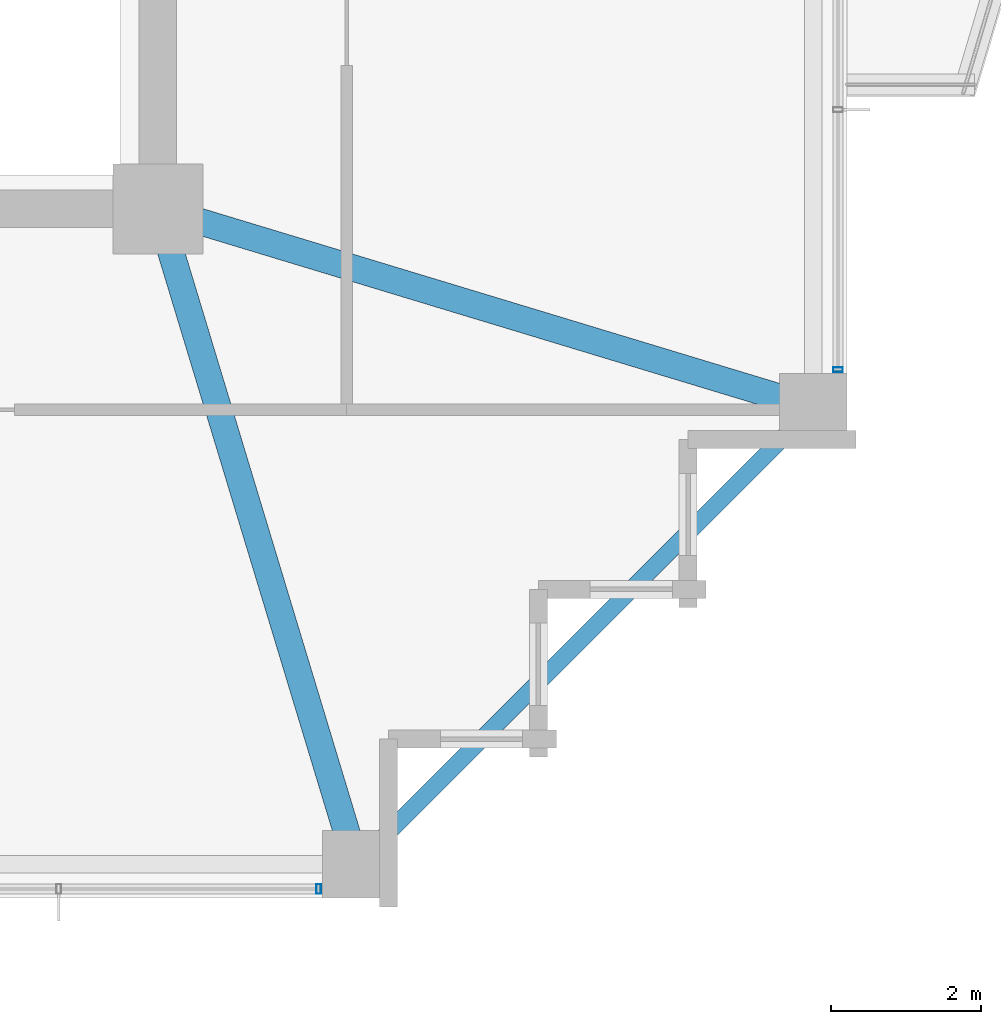
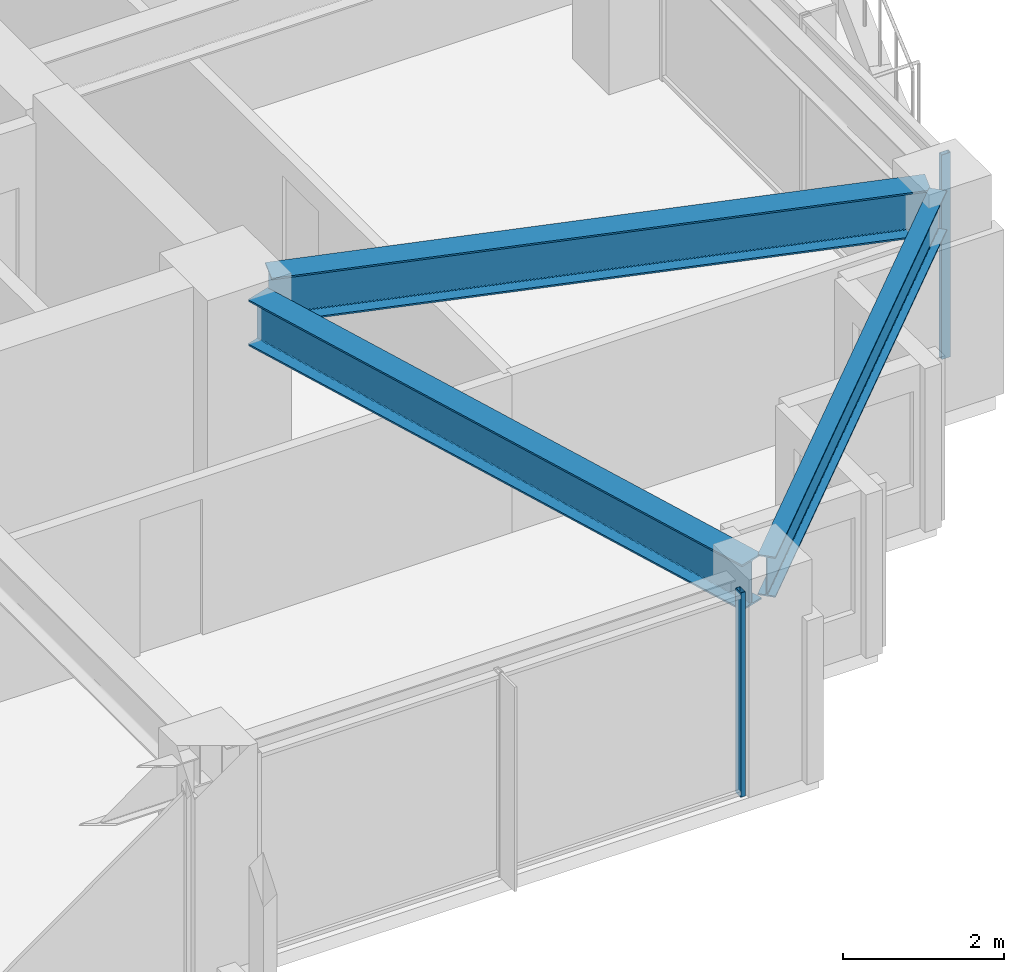
# One storey, part 14 of 35: 3 beams, 2 members, 2 elements without a shape of their own.
"""IFC4 building model written with IfcOpenShell, lengths in metres."""

from ifc_helpers import new_model, si_unit, direction, frame, origin, origin_2d, place, context, subcontext, project, spatial, hollow_rectangle, i_section, extrude, material, material_profile, profile_set, type_object, element, aggregate, save


model = new_model("IFC4")

# Units and contexts
model_context = context("Model", 3, precision=1e-05, world=origin(), true_north=direction((0.0, 1.0)))
body_context = subcontext(model_context, "Body", "Model", "MODEL_VIEW")
ifc_project = project(units=[si_unit("LENGTHUNIT", "METRE"), si_unit("AREAUNIT", "SQUARE_METRE"), si_unit("VOLUMEUNIT", "CUBIC_METRE"), si_unit("PLANEANGLEUNIT", "RADIAN"), si_unit("MASSUNIT", "GRAM", prefix="KILO")], contexts=[model_context])

# Site, building, storey
site_placement = place(None, origin())
site = spatial("IfcSite", under=ifc_project, at=site_placement, CompositionType="ELEMENT")
building_placement = place(site_placement, origin())
building = spatial("IfcBuilding", under=site, at=building_placement, Name="Kolvaren Belvedere", CompositionType="ELEMENT")
storey_placement = place(building_placement, frame((0.0, 0.0, 163.5)))
storey = spatial("IfcBuildingStorey", under=building, at=storey_placement, Name="L47", CompositionType="ELEMENT", Elevation=163.5)

# Beams
ifc_material_1 = material(Name="Structural steel ASTM A992 Grade 50", Category="steel")
ifc_material_profile_1 = material_profile(ifc_material_1, i_section(OverallWidth=0.35498046875, OverallDepth=0.696044921875, WebThickness=0.015380859375, FlangeThickness=0.02490234375, FilletRadius=0.02197265625, at=origin_2d()), Name="W27X146")
ifc_profile_set_1 = profile_set([ifc_material_profile_1], Name="Structural steel ASTM A992 Grade 50")
beam_type_1 = type_object("IfcBeamType", Name="BM-GIRD-W27X146", PredefinedType="BEAM", material=ifc_profile_set_1)
for number, where, z_axis, x_axis, name in (
    (1, (10.059326171875, -10.426513671875, 2.751953125), (0.289865629086, -0.957067352423, 0.0), (0.957067352423, 0.289865629086, 0.0), "L47 Corner Core-to-Perimeter Girder CC2-S4"),
    (2, (10.426513671875, -10.059326171875, 2.751953125), (0.957067352423, -0.289865629086, 0.0), (0.289865629086, 0.957067352423, 0.0), "L47 Corner Core-to-Perimeter Girder CC2-E1"),
):
    element("IfcBeam", number, at=place(storey_placement, frame(where, z_axis=z_axis, x_axis=x_axis)), inside=storey, type_object=beam_type_1, Name=name, PredefinedType="BEAM", context=body_context, shape_type="SweptSolid", body=[
        extrude(i_section(OverallWidth=0.35498046875, OverallDepth=0.696044921875, WebThickness=0.015380859375, FlangeThickness=0.02490234375, FilletRadius=0.02197265625, at=origin_2d()), origin(), (0.0, 0.0, 1.0), 8.412353515625),
    ])
ifc_material_2 = material(Name="Structural steel ASTM A992 Grade 50", Category="steel")
ifc_material_profile_2 = material_profile(ifc_material_2, i_section(OverallWidth=0.22900390625, OverallDepth=0.612060546875, WebThickness=0.011962890625, FlangeThickness=0.01953125, FilletRadius=0.01806640625, at=origin_2d()), Name="W24X84")
ifc_profile_set_2 = profile_set([ifc_material_profile_2], Name="Structural steel ASTM A992 Grade 50")
beam_type_2 = type_object("IfcBeamType", Name="BM-SPAN-W24X84", PredefinedType="SPANDREL", material=ifc_profile_set_2)
beam_placement = place(storey_placement, frame((12.693115234375, -18.5068359375, 2.7939453125), z_axis=(0.707106781187, 0.707106781187, 0.0), x_axis=(-0.707106781187, 0.707106781187, 0.0)))
element("IfcBeam", 3, at=beam_placement, inside=storey, type_object=beam_type_2, Name="L47 Perimeter Spandrel S4-E1", PredefinedType="SPANDREL", context=body_context, shape_type="SweptSolid", body=[
    extrude(i_section(OverallWidth=0.22900390625, OverallDepth=0.612060546875, WebThickness=0.011962890625, FlangeThickness=0.01953125, FilletRadius=0.01806640625, at=origin_2d()), origin(), (0.0, 0.0, 1.0), 8.221923828125),
])

# Curtain wall, member
ifc_material_3 = material(Name="Anodised pale-metal aluminium AA 6063-T6", Category="aluminium")
curtain_wall_type = type_object("IfcCurtainWallType", Name="CW-Z3-WAIST", PredefinedType="NOTDEFINED", material=ifc_material_3)
curtain_wall_1_placement = place(storey_placement, origin())
curtain_wall_1 = element("IfcCurtainWall", 4, at=curtain_wall_1_placement, inside=storey, type_object=curtain_wall_type, Name="L47 Unitised Curtain Wall FCW-L47-S-B1", PredefinedType="NOTDEFINED")
ifc_material_4 = material(Name="Anodised pale-metal aluminium AA 6063-T6", Category="aluminium")
ifc_material_profile_3 = material_profile(ifc_material_4, hollow_rectangle(XDim=0.06494140625, YDim=0.1298828125, WallThickness=0.00390625, at=origin_2d()), Name="ALU-MUL-130X65")
ifc_profile_set_3 = profile_set([ifc_material_profile_3], Name="Anodised pale-metal aluminium AA 6063-T6")
member_type = type_object("IfcMemberType", Name="CW-MUL-130", PredefinedType="MULLION", material=ifc_profile_set_3)
member_1_placement = place(storey_placement, frame((12.047607421875, -18.97998046875, 0.0), z_axis=(0.0, 0.0, 1.0), x_axis=(1.0, 0.0, 0.0)))
member_1 = element("IfcMember", 5, at=member_1_placement, type_object=member_type, Name="FCW-L47-S-B1 Unitised Mullion 1", PredefinedType="MULLION", context=body_context, shape_type="SweptSolid", body=[
    extrude(hollow_rectangle(XDim=0.06494140625, YDim=0.1298828125, WallThickness=0.00390625, at=origin_2d()), origin(), (0.0, 0.0, 1.0), 3.10009765625),
])
aggregate(curtain_wall_1, [member_1])

curtain_wall_2_placement = place(storey_placement, origin())
curtain_wall_2 = element("IfcCurtainWall", 6, at=curtain_wall_2_placement, inside=storey, type_object=curtain_wall_type, Name="L47 Unitised Curtain Wall FCW-L47-E2-B2", PredefinedType="NOTDEFINED")
member_2_placement = place(storey_placement, frame((18.97998046875, -12.047607421875, 0.0), z_axis=(0.0, 0.0, 1.0), x_axis=(0.0, 1.0, 0.0)))
member_2 = element("IfcMember", 7, at=member_2_placement, type_object=member_type, Name="FCW-L47-E2-B2 Unitised Mullion 3", PredefinedType="MULLION", context=body_context, shape_type="SweptSolid", body=[
    extrude(hollow_rectangle(XDim=0.06494140625, YDim=0.1298828125, WallThickness=0.00390625, at=origin_2d()), origin(), (0.0, 0.0, 1.0), 3.10009765625),
])
aggregate(curtain_wall_2, [member_2])

save(model, "model.ifc")
